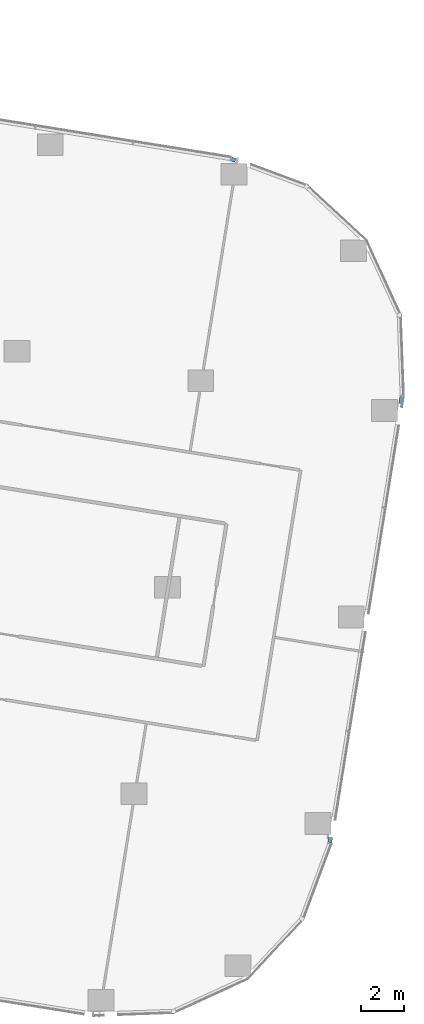
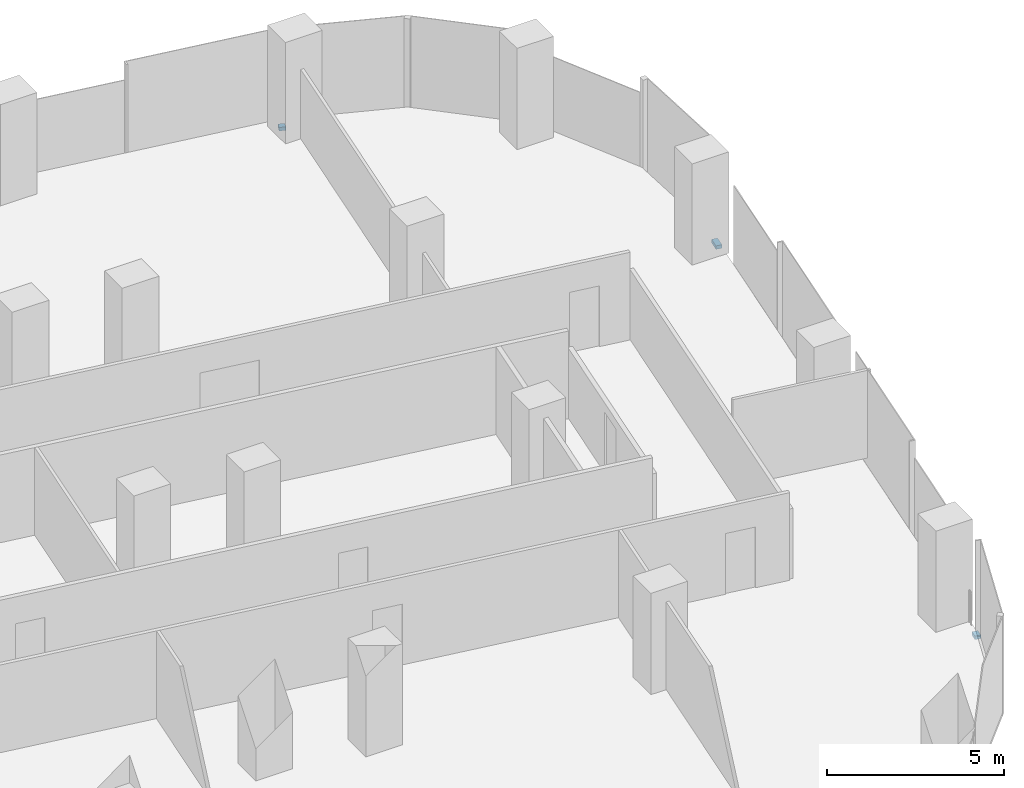
# One storey, part 17 of 34: 3 members, 2 elements without a shape of their own.
"""IFC4 building model written with IfcOpenShell, lengths in metres."""

from ifc_helpers import new_model, si_unit, direction, frame, origin, origin_2d, place, context, subcontext, project, spatial, rectangle, extrude, material, material_profile, profile_set, type_object, element, aggregate, save


model = new_model("IFC4")

# Units and contexts
model_context = context("Model", 3, precision=1e-05, world=origin(), true_north=direction((0.0, 1.0)))
body_context = subcontext(model_context, "Body", "Model", "MODEL_VIEW")
ifc_project = project(units=[si_unit("LENGTHUNIT", "METRE"), si_unit("AREAUNIT", "SQUARE_METRE"), si_unit("VOLUMEUNIT", "CUBIC_METRE"), si_unit("PLANEANGLEUNIT", "RADIAN"), si_unit("MASSUNIT", "GRAM", prefix="KILO")], contexts=[model_context])

# Site, building, storey
site_placement = place(None, origin())
site = spatial("IfcSite", under=ifc_project, at=site_placement, CompositionType="ELEMENT")
building_placement = place(site_placement, origin())
building = spatial("IfcBuilding", under=site, at=building_placement, Name="Orlundy Tower", CompositionType="ELEMENT")
storey_placement = place(building_placement, frame((0.0, 0.0, 137.699951171875)))
storey = spatial("IfcBuildingStorey", under=building, at=storey_placement, Name="L35", CompositionType="ELEMENT", Elevation=137.699951171875)

# Curtain wall, member
ifc_material_1 = material(Name="Aluminium bronze anodised", Category="aluminium")
curtain_wall_type = type_object("IfcCurtainWallType", Name="CW1 wall", PredefinedType="NOTDEFINED", material=ifc_material_1)
curtain_wall_1_placement = place(storey_placement, origin())
curtain_wall_1 = element("IfcCurtainWall", 1, at=curtain_wall_1_placement, inside=storey, type_object=curtain_wall_type, Name="CW1 run 07", PredefinedType="NOTDEFINED")
ifc_material_2 = material(Name="Aluminium bronze anodised", Category="aluminium")
ifc_material_profile = material_profile(ifc_material_2, rectangle(XDim=0.179931640625, YDim=0.1201171875, at=origin_2d()), Name="CW1 transom 180x120")
ifc_profile_set = profile_set([ifc_material_profile], Name="Aluminium bronze anodised")
member_type = type_object("IfcMemberType", Name="CW1 transom 180x120", PredefinedType="USERDEFINED", material=ifc_profile_set)
member_1_placement = place(storey_placement, frame((52.5947265625, 11.857666015625, -0.33984375), z_axis=(0.937154813765, -0.348913821792, 0.0), x_axis=(0.348913821792, 0.937154813765, 0.0)))
member_1 = element("IfcMember", 2, at=member_1_placement, type_object=member_type, Name="CW1 transom", ObjectType="TRANSOM", PredefinedType="USERDEFINED", context=body_context, shape_type="SweptSolid", body=[
    extrude(rectangle(XDim=0.179931640625, YDim=0.1201171875, at=origin_2d()), origin(), (0.0, 0.0, 1.0), 0.19384765625),
])
aggregate(curtain_wall_1, [member_1])

# Curtain wall, members
curtain_wall_2_placement = place(storey_placement, origin())
curtain_wall_2 = element("IfcCurtainWall", 3, at=curtain_wall_2_placement, inside=storey, type_object=curtain_wall_type, Name="CW1 run 011", PredefinedType="NOTDEFINED")
member_2_placement = place(storey_placement, frame((60.499267578125, 0.856689453125, -0.33984375), z_axis=(-0.15901506716, -0.987276156106, 0.0), x_axis=(0.987276156106, -0.15901506716, 0.0)))
member_2 = element("IfcMember", 4, at=member_2_placement, type_object=member_type, Name="CW1 transom", ObjectType="TRANSOM", PredefinedType="USERDEFINED", context=body_context, shape_type="SweptSolid", body=[
    extrude(rectangle(XDim=0.179931640625, YDim=0.1201171875, at=origin_2d()), origin(), (0.0, 0.0, 1.0), 0.35302734375),
])
member_3_placement = place(storey_placement, frame((57.1962890625, -19.60888671875, -0.33984375), z_axis=(-0.159394093986, -0.98721503372, 0.0), x_axis=(0.98721503372, -0.159394093986, 0.0)))
member_3 = element("IfcMember", 5, at=member_3_placement, type_object=member_type, Name="CW1 transom", ObjectType="TRANSOM", PredefinedType="USERDEFINED", context=body_context, shape_type="SweptSolid", body=[
    extrude(rectangle(XDim=0.179931640625, YDim=0.1201171875, at=origin_2d()), origin(), (0.0, 0.0, 1.0), 0.2373046875),
])
aggregate(curtain_wall_2, [member_2, member_3])

save(model, "model.ifc")
